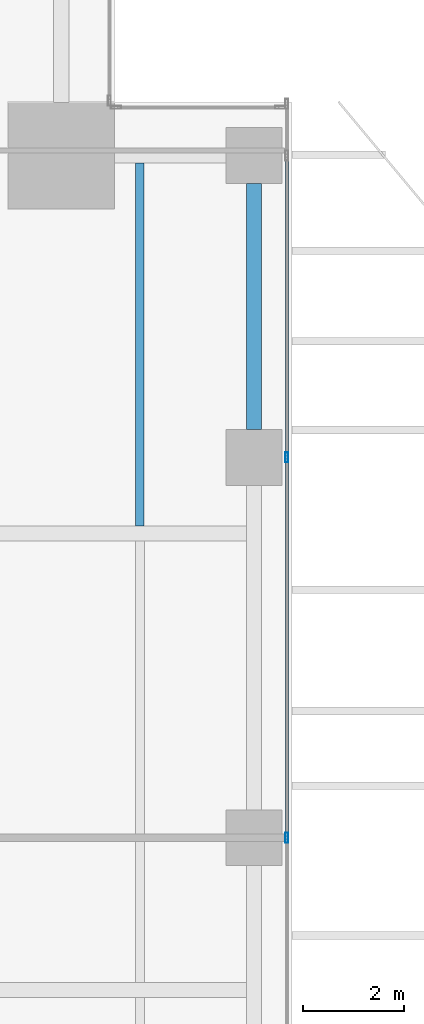
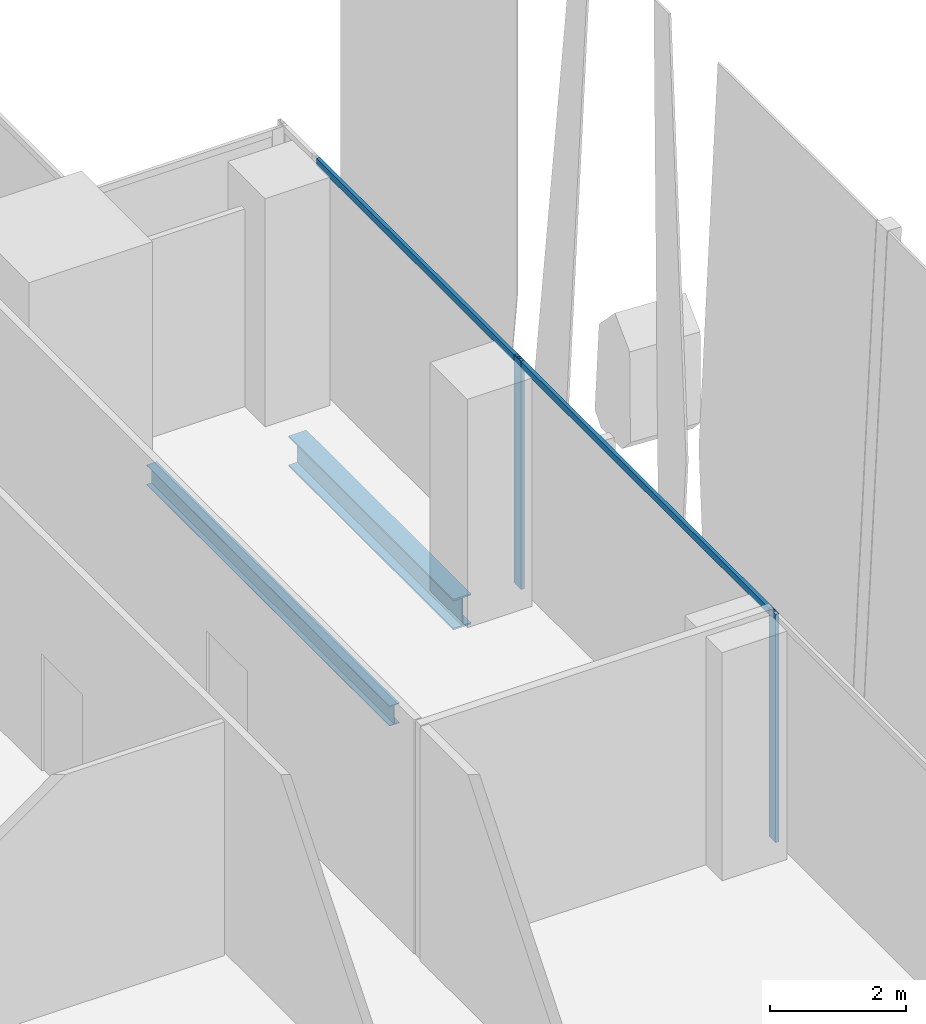
# One storey, part 19 of 36: 4 members, 2 beams, 1 element without a shape of its own.
"""IFC4 building model written with IfcOpenShell, lengths in metres."""

import ifcopenshell
import ifcopenshell.guid

model = None  # the IFC model being written
_history = None  # IfcOwnerHistory: only IFC2X3 demands one
_inside = {}  # id of a spatial element -> (the spatial element, [elements in it])
_under = {}  # id of a project, library or spatial element -> (it, [spatial elements below it])
_declared = {}  # id of a project -> (the project, [libraries it declares])
_typed = {}  # id of a type object -> (the type object, [elements of that type])
_made_of = {}  # id of a material, layer set ... -> (it, [elements and type objects made of it])


def new_model(schema):
    """Start an empty IFC model of exactly this schema.

    Asked for "IFC4X3", IfcOpenShell would pick the latest addendum, in which some entities
    have other attributes; the version numbers below select the first issue.
    IFC2X3 requires an IfcOwnerHistory on every rooted entity: one is made here for all.
    """
    global model, _history
    if schema == "IFC4X3":
        model = ifcopenshell.file(schema_version=(4, 3, 0, 0))
    else:
        model = ifcopenshell.file(schema=schema)
    _inside.clear()
    _under.clear()
    _declared.clear()
    _typed.clear()
    _made_of.clear()
    _history = None
    if model.schema == "IFC2X3":
        org = make("IfcOrganization", Name="unknown")
        user = make(
            "IfcPersonAndOrganization",
            ThePerson=make("IfcPerson", FamilyName="unknown"),
            TheOrganization=org,
        )
        app = make(
            "IfcApplication",
            ApplicationDeveloper=org,
            Version="unknown",
            ApplicationFullName="unknown",
            ApplicationIdentifier="unknown",
        )
        _history = make(
            "IfcOwnerHistory",
            OwningUser=user,
            OwningApplication=app,
            ChangeAction="ADDED",
            CreationDate=0,
        )
    return model


def make(cls, **values):
    """One entity of the class cls with the attributes given. An attribute that is None is left unset."""
    return model.create_entity(
        cls, **{name: value for name, value in values.items() if value is not None}
    )


def rooted(cls, **values):
    """An entity with a GlobalId (a new one), such as an element, a storey or a relation."""
    return make(cls, GlobalId=ifcopenshell.guid.new(), OwnerHistory=_history, **values)


def si_unit(unit_type, name, prefix=None):
    """IfcSIUnit, for example si_unit("LENGTHUNIT", "METRE", prefix="MILLI")."""
    return make("IfcSIUnit", UnitType=unit_type, Prefix=prefix, Name=name)


def assignment(units):
    """IfcUnitAssignment: the units of a project."""
    return None if units is None else make("IfcUnitAssignment", Units=units)


def point(xyz):
    """IfcCartesianPoint."""
    return None if xyz is None else make("IfcCartesianPoint", Coordinates=xyz)


def direction(xyz):
    """IfcDirection."""
    return None if xyz is None else make("IfcDirection", DirectionRatios=xyz)


def frame(location, z_axis=None, x_axis=None):
    """IfcAxis2Placement3D, a coordinate frame: its origin and axes. An axis left out is left unset."""
    return make(
        "IfcAxis2Placement3D",
        Location=point(location),
        Axis=direction(z_axis),
        RefDirection=direction(x_axis),
    )


def frame_2d(location, x_axis=None):
    """IfcAxis2Placement2D, a coordinate frame in the plane: its origin and x axis."""
    return make(
        "IfcAxis2Placement2D", Location=point(location), RefDirection=direction(x_axis)
    )


def origin():
    """The frame at (0, 0, 0) with its axes left unset."""
    return frame((0.0, 0.0, 0.0))


def origin_2d():
    """The frame at (0, 0) in the plane with its x axis left unset."""
    return frame_2d((0.0, 0.0))


def place(relative_to, where):
    """IfcLocalPlacement: puts the frame where relative to a parent placement (None: the world)."""
    return make(
        "IfcLocalPlacement", PlacementRelTo=relative_to, RelativePlacement=where
    )


def context(
    kind, dimensions, precision=None, world=None, true_north=None, identifier=None
):
    """IfcGeometricRepresentationContext, for example the 3D "Model" context."""
    return make(
        "IfcGeometricRepresentationContext",
        ContextIdentifier=identifier,
        ContextType=kind,
        CoordinateSpaceDimension=dimensions,
        Precision=precision,
        WorldCoordinateSystem=world,
        TrueNorth=true_north,
    )


def subcontext(parent, identifier, kind, view, scale=None):
    """IfcGeometricRepresentationSubContext, for example "Body" below "Model"."""
    return make(
        "IfcGeometricRepresentationSubContext",
        ContextIdentifier=identifier,
        ContextType=kind,
        ParentContext=parent,
        TargetScale=scale,
        TargetView=view,
    )


def project(units=None, contexts=None):
    """IfcProject with its units and contexts."""
    return rooted(
        "IfcProject",
        Name="project",
        RepresentationContexts=contexts,
        UnitsInContext=assignment(units),
    )


def spatial(cls, under=None, at=None, **own):
    """A site, building, storey or space (cls), placed at a placement, below another one or the project."""
    s = rooted(cls, ObjectPlacement=at, **own)
    if under is not None:
        _under.setdefault(under.id(), (under, []))[1].append(s)
    return s


def profile(cls, at=None, kind="AREA", **sizes):
    """A parametric profile (cls). Its sizes go by their IFC names, for example OverallWidth=200.0."""
    return make(cls, ProfileType=kind, Position=at, **sizes)


def hollow_rectangle(**sizes):
    """IfcRectangleHollowProfileDef."""
    return profile("IfcRectangleHollowProfileDef", **sizes)


def i_section(**sizes):
    """IfcIShapeProfileDef."""
    return profile("IfcIShapeProfileDef", **sizes)


def extrude(swept, where, along, depth):
    """IfcExtrudedAreaSolid: the profile swept, set in the frame where, extruded along a direction by depth."""
    return make(
        "IfcExtrudedAreaSolid",
        SweptArea=swept,
        Position=where,
        ExtrudedDirection=direction(along),
        Depth=depth,
    )


def shape(context_of_items, identifier, shape_type, items):
    """IfcShapeRepresentation: the items that make up one representation, for example the "Body"."""
    return make(
        "IfcShapeRepresentation",
        ContextOfItems=context_of_items,
        RepresentationIdentifier=identifier,
        RepresentationType=shape_type,
        Items=items,
    )


def source(mapping_origin, context_of_items, identifier, shape_type, items):
    """IfcRepresentationMap: a shape defined once, which mapped items show again and again."""
    return make(
        "IfcRepresentationMap",
        MappingOrigin=mapping_origin,
        MappedRepresentation=shape(context_of_items, identifier, shape_type, items),
    )


def transform(
    local_origin,
    x_axis=None,
    y_axis=None,
    z_axis=None,
    scale=None,
    scale2=None,
    scale3=None,
    uniform=True,
):
    """IfcCartesianTransformationOperator3D, or its non-uniform kind. x_axis, y_axis, z_axis: its Axis1, 2, 3."""
    if uniform:
        return make(
            "IfcCartesianTransformationOperator3D",
            Axis1=direction(x_axis),
            Axis2=direction(y_axis),
            LocalOrigin=point(local_origin),
            Scale=scale,
            Axis3=direction(z_axis),
        )
    return make(
        "IfcCartesianTransformationOperator3DnonUniform",
        Axis1=direction(x_axis),
        Axis2=direction(y_axis),
        LocalOrigin=point(local_origin),
        Scale=scale,
        Axis3=direction(z_axis),
        Scale2=scale2,
        Scale3=scale3,
    )


def mapped(mapping_source, mapping_target):
    """IfcMappedItem: shows the shape of a source again, moved by a transform."""
    return make(
        "IfcMappedItem", MappingSource=mapping_source, MappingTarget=mapping_target
    )


def material(Name=None, Category=None):
    """IfcMaterial."""
    return make("IfcMaterial", Name=Name, Category=Category)


def material_profile(
    of_material, cross_section, Name=None, Category=None, Priority=None
):
    """IfcMaterialProfile: a cross section and its material."""
    return make(
        "IfcMaterialProfile",
        Name=Name,
        Material=of_material,
        Profile=cross_section,
        Priority=Priority,
        Category=Category,
    )


def profile_set(profiles, Name=None, composite=None):
    """IfcMaterialProfileSet."""
    return make(
        "IfcMaterialProfileSet",
        Name=Name,
        MaterialProfiles=profiles,
        CompositeProfile=composite,
    )


def made_of(thing, what):
    """Note that an element or type object is made of a material, layer set ...; save() writes the relation."""
    if what is not None:
        _made_of.setdefault(what.id(), (what, []))[1].append(thing)
    return thing


def type_object(cls, material=None, **own):
    """A type object (cls), such as IfcWallType, which elements share."""
    return made_of(rooted(cls, **own), material)


def element(
    cls,
    number,
    at=None,
    inside=None,
    cuts=None,
    type_object=None,
    material=None,
    context=None,
    identifier="Body",
    shape_type=None,
    held_by="IfcProductDefinitionShape",
    body=None,
    shapes=None,
    **own,
):
    """One element of the class cls, such as IfcWall. Its Tag is "e" and its number.

    at: its placement. inside: the storey or other place that contains it. cuts: it is an
    opening in that element (IfcRelVoidsElement). A single representation is given by context,
    identifier, shape_type and body (its items); several are given by shapes. held_by: the class
    of the entity that holds the representations. save() writes the other relations.
    """
    e = rooted(cls, Tag="e%d" % number, ObjectPlacement=at, **own)
    if body is not None:
        shapes = [shape(context, identifier, shape_type, body)]
    if shapes is not None:
        e.Representation = make(held_by, Representations=shapes)
    if inside is not None:
        _inside.setdefault(inside.id(), (inside, []))[1].append(e)
    if cuts is not None:
        rooted(
            "IfcRelVoidsElement", RelatingBuildingElement=cuts, RelatedOpeningElement=e
        )
    if type_object is not None:
        _typed.setdefault(type_object.id(), (type_object, []))[1].append(e)
    return made_of(e, material)


def aggregate(whole, parts):
    """IfcRelAggregates: a whole, such as a stair, and the parts it consists of."""
    return rooted("IfcRelAggregates", RelatingObject=whole, RelatedObjects=parts)


def save(model, path):
    """Write the relations noted so far, then the file.

    IfcRelAggregates (storeys below a building ...), IfcRelContainedInSpatialStructure (elements
    in a storey), IfcRelDefinesByType, IfcRelAssociatesMaterial and IfcRelDeclares: one each for
    every whole, place, type object, material and project.
    """
    for whole, parts in _under.values():
        aggregate(whole, parts)
    for where, things in _inside.values():
        rooted(
            "IfcRelContainedInSpatialStructure",
            RelatedElements=things,
            RelatingStructure=where,
        )
    for kind, things in _typed.values():
        rooted("IfcRelDefinesByType", RelatedObjects=things, RelatingType=kind)
    for what, things in _made_of.values():
        rooted("IfcRelAssociatesMaterial", RelatedObjects=things, RelatingMaterial=what)
    for by, libraries in _declared.values():
        rooted("IfcRelDeclares", RelatingContext=by, RelatedDefinitions=libraries)
    model.write(path)


model = new_model("IFC4")

# Units and contexts
model_context = context("Model", 3, precision=1e-05, world=origin(), true_north=direction((0.0, 1.0)))
body_context = subcontext(model_context, "Body", "Model", "MODEL_VIEW")
ifc_project = project(units=[si_unit("LENGTHUNIT", "METRE"), si_unit("AREAUNIT", "SQUARE_METRE"), si_unit("VOLUMEUNIT", "CUBIC_METRE"), si_unit("PLANEANGLEUNIT", "RADIAN"), si_unit("MASSUNIT", "GRAM", prefix="KILO")], contexts=[model_context])

# Site, building, storey
site_placement = place(None, origin())
site = spatial("IfcSite", under=ifc_project, at=site_placement, CompositionType="ELEMENT")
building_placement = place(site_placement, origin())
building = spatial("IfcBuilding", under=site, at=building_placement, Name="Khomas Fold Tower", CompositionType="ELEMENT")
storey_placement = place(building_placement, frame((0.0, 0.0, 141.10009765625)))
storey = spatial("IfcBuildingStorey", under=building, at=storey_placement, Name="L30", CompositionType="ELEMENT", Elevation=141.10009765625)

# Beams
ifc_material_1 = material(Name="Steel S355", Category="steel")
ifc_material_profile_1 = material_profile(ifc_material_1, i_section(OverallWidth=0.169921875, OverallDepth=0.360107421875, WebThickness=0.008056640625, FlangeThickness=0.0126953125, at=origin_2d()), Name="IPE 360")
ifc_profile_set_1 = profile_set([ifc_material_profile_1], Name="Steel S355")
beam_type_1 = type_object("IfcBeamType", Name="IPE 360 beam JB2", PredefinedType="BEAM", material=ifc_profile_set_1)
shared_shape_1 = source(origin(), body_context, "Body", "SweptSolid", [
    extrude(i_section(OverallWidth=0.169921875, OverallDepth=0.360107421875, WebThickness=0.008056640625, FlangeThickness=0.0126953125, at=origin_2d()), origin(), (0.0, 0.0, 1.0), 7.150146484375),
])
beam_1_placement = place(storey_placement, frame((49.5, 40.64990234375, -0.47998046875), z_axis=(0.0, 1.0, 0.0), x_axis=(-1.0, 0.0, 0.0)))
element("IfcBeam", 1, at=beam_1_placement, inside=storey, type_object=beam_type_1, Name="JB2", PredefinedType="BEAM", context=body_context, shape_type="MappedRepresentation", body=[
    mapped(shared_shape_1, transform((0.0, 0.0, 0.0))),
])
ifc_material_2 = material(Name="Steel S355", Category="steel")
ifc_material_profile_2 = material_profile(ifc_material_2, i_section(OverallWidth=0.300048828125, OverallDepth=0.550048828125, WebThickness=0.014892578125, FlangeThickness=0.029052734375, at=origin_2d()), Name="HE 550 B")
ifc_profile_set_2 = profile_set([ifc_material_profile_2], Name="Steel S355")
beam_type_2 = type_object("IfcBeamType", Name="HE 550 B spandrel SB2", PredefinedType="SPANDREL", material=ifc_profile_set_2)
shared_shape_2 = source(origin(), body_context, "Body", "SweptSolid", [
    extrude(i_section(OverallWidth=0.300048828125, OverallDepth=0.550048828125, WebThickness=0.014892578125, FlangeThickness=0.029052734375, at=origin_2d()), origin(), (0.0, 0.0, 1.0), 4.849853515625),
])
beam_2_placement = place(storey_placement, frame((51.75, 42.550048828125, -0.5751953125), z_axis=(0.0, 1.0, 0.0), x_axis=(-1.0, 0.0, 0.0)))
element("IfcBeam", 2, at=beam_2_placement, inside=storey, type_object=beam_type_2, Name="SB2", PredefinedType="SPANDREL", context=body_context, shape_type="MappedRepresentation", body=[
    mapped(shared_shape_2, transform((0.0, 0.0, 0.0))),
])

# Curtain wall, members
ifc_material_3 = material(Name="Aluminium framed double glazing", Category="aluminium")
curtain_wall_type = type_object("IfcCurtainWallType", Name="SK-Unitised clear-glass wall, growing floors CW1", PredefinedType="NOTDEFINED", material=ifc_material_3)
curtain_wall_placement = place(storey_placement, origin())
curtain_wall = element("IfcCurtainWall", 3, at=curtain_wall_placement, inside=storey, type_object=curtain_wall_type, Name="CW1 run L30 03-1", PredefinedType="NOTDEFINED")
ifc_material_4 = material(Name="Aluminium", Category="aluminium")
ifc_material_profile_3 = material_profile(ifc_material_4, hollow_rectangle(XDim=0.06005859375, YDim=0.1201171875, WallThickness=0.00390625, at=origin_2d()), Name="SK-Unitised clear-glass wall, growing floors transom CW1-T")
ifc_profile_set_3 = profile_set([ifc_material_profile_3], Name="Aluminium")
member_type_1 = type_object("IfcMemberType", Name="SK-Unitised clear-glass wall, growing floors transom CW1-T", PredefinedType="USERDEFINED", material=ifc_profile_set_3)
shared_shape_3 = source(origin(), body_context, "Body", "SweptSolid", [
    extrude(hollow_rectangle(XDim=0.06005859375, YDim=0.1201171875, WallThickness=0.00390625, at=origin_2d()), origin(), (0.0, 0.0, 1.0), 7.43994140625),
])
member_1_placement = place(storey_placement, frame((52.39990234375, 34.530029296875, 4.039794921875), z_axis=(0.0, 1.0, 0.0), x_axis=(-1.0, 0.0, 0.0)))
member_1 = element("IfcMember", 4, at=member_1_placement, type_object=member_type_1, Name="CW1 transom 3", ObjectType="TRANSOM", PredefinedType="USERDEFINED", context=body_context, shape_type="MappedRepresentation", body=[
    mapped(shared_shape_3, transform((0.0, 0.0, 0.0))),
])
shared_shape_4 = source(origin(), body_context, "Body", "SweptSolid", [
    extrude(hollow_rectangle(XDim=0.06005859375, YDim=0.1201171875, WallThickness=0.00390625, at=origin_2d()), origin(), (0.0, 0.0, 1.0), 5.889892578125),
])
member_2_placement = place(storey_placement, frame((52.39990234375, 42.030029296875, 4.039794921875), z_axis=(0.0, 1.0, 0.0), x_axis=(-1.0, 0.0, 0.0)))
member_2 = element("IfcMember", 5, at=member_2_placement, type_object=member_type_1, Name="CW1 transom 4", ObjectType="TRANSOM", PredefinedType="USERDEFINED", context=body_context, shape_type="MappedRepresentation", body=[
    mapped(shared_shape_4, transform((0.0, 0.0, 0.0))),
])
ifc_material_5 = material(Name="Aluminium", Category="aluminium")
ifc_material_profile_4 = material_profile(ifc_material_5, hollow_rectangle(XDim=0.06005859375, YDim=0.199951171875, WallThickness=0.00390625, at=origin_2d()), Name="SK-Unitised clear-glass wall, growing floors mullion CW1-M")
ifc_profile_set_4 = profile_set([ifc_material_profile_4], Name="Aluminium")
member_type_2 = type_object("IfcMemberType", Name="SK-Unitised clear-glass wall, growing floors mullion CW1-M", PredefinedType="MULLION", material=ifc_profile_set_4)
shared_shape_5 = source(origin(), body_context, "Body", "SweptSolid", [
    extrude(hollow_rectangle(XDim=0.06005859375, YDim=0.199951171875, WallThickness=0.00390625, at=origin_2d()), origin(), (0.0, 0.0, 1.0), 4.099853515625),
])
member_3_placement = place(storey_placement, frame((52.39990234375, 34.5, 0.0), z_axis=(0.0, 0.0, 1.0), x_axis=(-1.0, 0.0, 0.0)))
member_3 = element("IfcMember", 6, at=member_3_placement, type_object=member_type_2, Name="CW1 mullion 3", PredefinedType="MULLION", context=body_context, shape_type="MappedRepresentation", body=[
    mapped(shared_shape_5, transform((0.0, 0.0, 0.0))),
])
member_4_placement = place(storey_placement, frame((52.39990234375, 42.0, 0.0), z_axis=(0.0, 0.0, 1.0), x_axis=(-1.0, 0.0, 0.0)))
member_4 = element("IfcMember", 7, at=member_4_placement, type_object=member_type_2, Name="CW1 mullion 4", PredefinedType="MULLION", context=body_context, shape_type="MappedRepresentation", body=[
    mapped(shared_shape_5, transform((0.0, 0.0, 0.0))),
])
aggregate(curtain_wall, [member_3, member_4, member_1, member_2])

save(model, "model.ifc")
